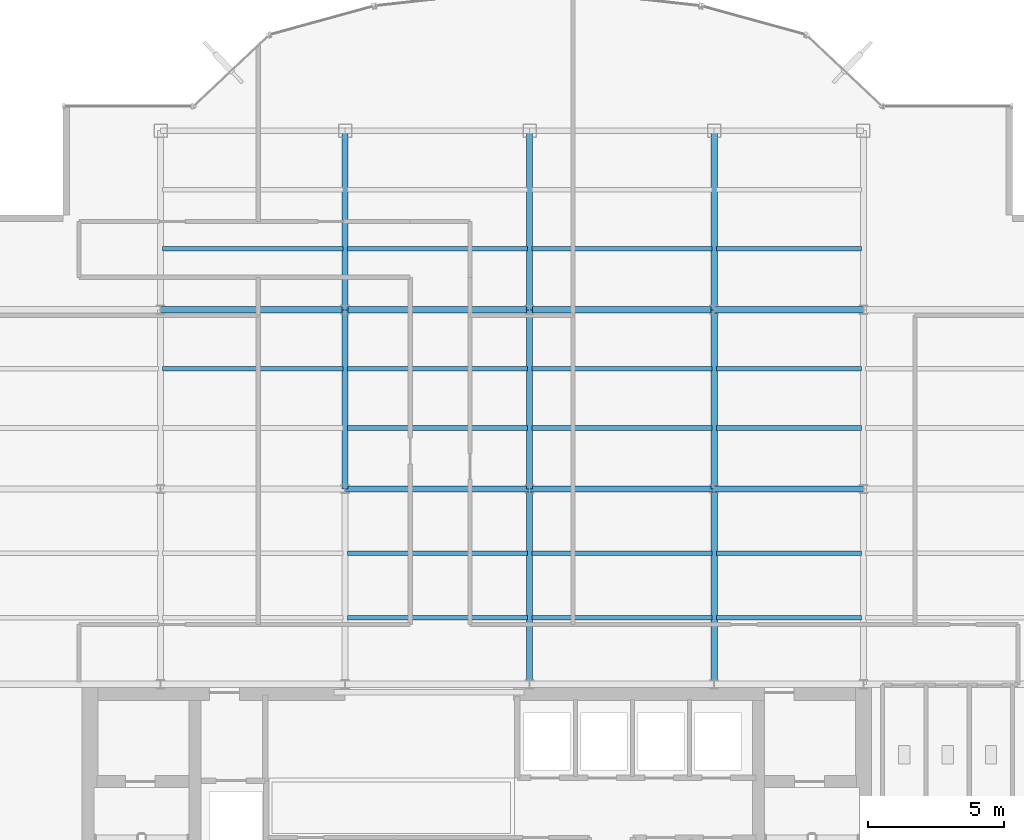
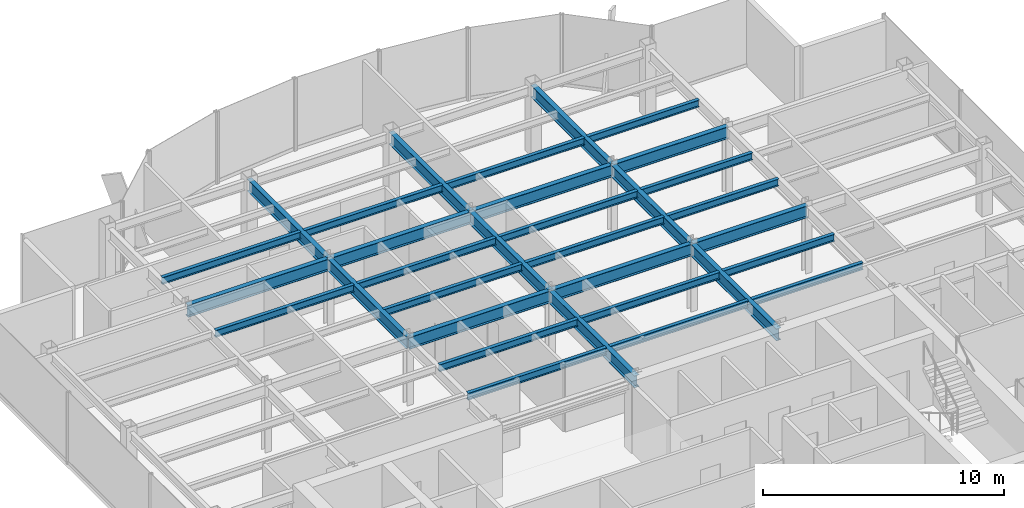
# One storey, part 8 of 22: 32 beams.
"""IFC4 building model written with IfcOpenShell, lengths in metres."""

from ifc_helpers import new_model, si_unit, derived_unit, direction, frame, origin, origin_2d, place, context, subcontext, project, spatial, i_section, extrude, source, transform, mapped, material, material_profile, profile_set, type_object, element, save


model = new_model("IFC4")

# Units and contexts
model_context = context("Model", 3, precision=1e-05, world=origin(), true_north=direction((0.0, 1.0)))
body_context = subcontext(model_context, "Body", "Model", "MODEL_VIEW")
ifc_project = project(units=[si_unit("LENGTHUNIT", "METRE"), si_unit("AREAUNIT", "SQUARE_METRE"), si_unit("VOLUMEUNIT", "CUBIC_METRE"), si_unit("PLANEANGLEUNIT", "RADIAN"), si_unit("MASSUNIT", "GRAM", prefix="KILO"), derived_unit("THERMALTRANSMITTANCEUNIT", [(si_unit("POWERUNIT", "WATT"), 1), (si_unit("LENGTHUNIT", "METRE"), -2), (si_unit("THERMODYNAMICTEMPERATUREUNIT", "KELVIN"), -1)])], contexts=[model_context])

# Site, building, storey
site_placement = place(None, origin())
site = spatial("IfcSite", under=ifc_project, at=site_placement, CompositionType="ELEMENT")
building_placement = place(site_placement, origin())
building = spatial("IfcBuilding", under=site, at=building_placement, Name="Skarnbrae Concourse Arena and Tower", CompositionType="ELEMENT")
storey_placement = place(building_placement, frame((0.0, 0.0, 214.14990234375)))
storey = spatial("IfcBuildingStorey", under=building, at=storey_placement, Name="L55", CompositionType="ELEMENT", Elevation=214.14990234375)

# Beams
ifc_material = material(Name="Steel CSA G40.21 350W", Category="steel")
ifc_material_profile_1 = material_profile(ifc_material, i_section(OverallWidth=0.22802734375, OverallDepth=0.60791015625, WebThickness=0.01123046875, FlangeThickness=0.017333984375, at=origin_2d()), Name="W610X113")
ifc_profile_set_1 = profile_set([ifc_material_profile_1], Name="Steel CSA G40.21 350W")
beam_type_1 = type_object("IfcBeamType", Name="BM-GIRD-W610X113", PredefinedType="BEAM", material=ifc_profile_set_1)
shared_shape_1 = source(origin(), body_context, "Body", "SweptSolid", [
    extrude(i_section(OverallWidth=0.22802734375, OverallDepth=0.60791015625, WebThickness=0.01123046875, FlangeThickness=0.017333984375, at=origin_2d()), origin(), (0.0, 0.0, 1.0), 6.60009765625),
])
for number, where, z_axis, x_axis, name in (
    (1, (14.39990234375, 21.199951171875, 3.09619140625), (0.0, 1.0, 0.0), (-1.0, 0.0, 0.0), "L55 Primary N-S girder X14.4-2"),
    (2, (21.199951171875, 21.199951171875, 3.09619140625), (0.0, 1.0, 0.0), (-1.0, 0.0, 0.0), "L55 Primary N-S girder X21.2-2"),
    (3, (28.0, 21.199951171875, 3.09619140625), (0.0, 1.0, 0.0), (-1.0, 0.0, 0.0), "L55 Primary N-S girder X28.0-2"),
):
    element("IfcBeam", number, at=place(storey_placement, frame(where, z_axis=z_axis, x_axis=x_axis)), inside=storey, type_object=beam_type_1, Name=name, PredefinedType="BEAM", context=body_context, shape_type="MappedRepresentation", body=[
        mapped(shared_shape_1, transform((0.0, 0.0, 0.0))),
    ])
shared_shape_2 = source(origin(), body_context, "Body", "SweptSolid", [
    extrude(i_section(OverallWidth=0.22802734375, OverallDepth=0.60791015625, WebThickness=0.01123046875, FlangeThickness=0.017333984375, at=origin_2d()), origin(), (0.0, 0.0, 1.0), 6.7998046875),
])
beam_placement = place(storey_placement, frame((7.60009765625, 27.800048828125, 3.09619140625), z_axis=(1.0, 0.0, 0.0), x_axis=(0.0, 1.0, 0.0)))
element("IfcBeam", 4, at=beam_placement, inside=storey, type_object=beam_type_1, Name="L55 Primary E-W girder Y27.8-2", PredefinedType="BEAM", context=body_context, shape_type="MappedRepresentation", body=[
    mapped(shared_shape_2, transform((0.0, 0.0, 0.0))),
])
shared_shape_3 = source(origin(), body_context, "Body", "SweptSolid", [
    extrude(i_section(OverallWidth=0.22802734375, OverallDepth=0.60791015625, WebThickness=0.01123046875, FlangeThickness=0.017333984375, at=origin_2d()), origin(), (0.0, 0.0, 1.0), 6.800048828125),
])
for number, where, z_axis, x_axis, name in (
    (5, (14.39990234375, 21.199951171875, 3.09619140625), (1.0, 0.0, 0.0), (0.0, 1.0, 0.0), "L55 Primary E-W girder Y21.2-3"),
    (6, (21.199951171875, 21.199951171875, 3.09619140625), (1.0, 0.0, 0.0), (0.0, 1.0, 0.0), "L55 Primary E-W girder Y21.2-4"),
    (7, (14.39990234375, 27.800048828125, 3.09619140625), (1.0, 0.0, 0.0), (0.0, 1.0, 0.0), "L55 Primary E-W girder Y27.8-3"),
    (8, (21.199951171875, 27.800048828125, 3.09619140625), (1.0, 0.0, 0.0), (0.0, 1.0, 0.0), "L55 Primary E-W girder Y27.8-4"),
):
    element("IfcBeam", number, at=place(storey_placement, frame(where, z_axis=z_axis, x_axis=x_axis)), inside=storey, type_object=beam_type_1, Name=name, PredefinedType="BEAM", context=body_context, shape_type="MappedRepresentation", body=[
        mapped(shared_shape_3, transform((0.0, 0.0, 0.0))),
    ])
shared_shape_4 = source(origin(), body_context, "Body", "SweptSolid", [
    extrude(i_section(OverallWidth=0.22802734375, OverallDepth=0.60791015625, WebThickness=0.01123046875, FlangeThickness=0.017333984375, at=origin_2d()), origin(), (0.0, 0.0, 1.0), 5.5),
])
for number, where, z_axis, x_axis, name in (
    (9, (28.0, 21.199951171875, 3.09619140625), (1.0, 0.0, 0.0), (0.0, 1.0, 0.0), "L55 Primary E-W girder Y21.2-5"),
    (10, (28.0, 27.800048828125, 3.09619140625), (1.0, 0.0, 0.0), (0.0, 1.0, 0.0), "L55 Primary E-W girder Y27.8-5"),
):
    element("IfcBeam", number, at=place(storey_placement, frame(where, z_axis=z_axis, x_axis=x_axis)), inside=storey, type_object=beam_type_1, Name=name, PredefinedType="BEAM", context=body_context, shape_type="MappedRepresentation", body=[
        mapped(shared_shape_4, transform((0.0, 0.0, 0.0))),
    ])
shared_shape_5 = source(origin(), body_context, "Body", "SweptSolid", [
    extrude(i_section(OverallWidth=0.22802734375, OverallDepth=0.60791015625, WebThickness=0.01123046875, FlangeThickness=0.017333984375, at=origin_2d()), origin(), (0.0, 0.0, 1.0), 7.199951171875),
])
for number, where, z_axis, x_axis, name in (
    (11, (21.199951171875, 14.0, 3.09619140625), (0.0, 1.0, 0.0), (-1.0, 0.0, 0.0), "L55 Primary N-S girder X21.2-1"),
    (12, (28.0, 14.0, 3.09619140625), (0.0, 1.0, 0.0), (-1.0, 0.0, 0.0), "L55 Primary N-S girder X28.0-1"),
):
    element("IfcBeam", number, at=place(storey_placement, frame(where, z_axis=z_axis, x_axis=x_axis)), inside=storey, type_object=beam_type_1, Name=name, PredefinedType="BEAM", context=body_context, shape_type="MappedRepresentation", body=[
        mapped(shared_shape_5, transform((0.0, 0.0, 0.0))),
    ])
shared_shape_6 = source(origin(), body_context, "Body", "SweptSolid", [
    extrude(i_section(OverallWidth=0.22802734375, OverallDepth=0.60791015625, WebThickness=0.01123046875, FlangeThickness=0.017333984375, at=origin_2d()), origin(), (0.0, 0.0, 1.0), 6.599853515625),
])
for number, where, z_axis, x_axis, name in (
    (13, (14.39990234375, 27.800048828125, 3.09619140625), (0.0, 1.0, 0.0), (-1.0, 0.0, 0.0), "L55 Primary N-S girder X14.4-3"),
    (14, (21.199951171875, 27.800048828125, 3.09619140625), (0.0, 1.0, 0.0), (-1.0, 0.0, 0.0), "L55 Primary N-S girder X21.2-3"),
    (15, (28.0, 27.800048828125, 3.09619140625), (0.0, 1.0, 0.0), (-1.0, 0.0, 0.0), "L55 Primary N-S girder X28.0-3"),
):
    element("IfcBeam", number, at=place(storey_placement, frame(where, z_axis=z_axis, x_axis=x_axis)), inside=storey, type_object=beam_type_1, Name=name, PredefinedType="BEAM", context=body_context, shape_type="MappedRepresentation", body=[
        mapped(shared_shape_6, transform((0.0, 0.0, 0.0))),
    ])
ifc_material_profile_2 = material_profile(ifc_material, i_section(OverallWidth=0.1708984375, OverallDepth=0.35498046875, WebThickness=0.007080078125, FlangeThickness=0.01171875, at=origin_2d()), Name="W360X51")
ifc_profile_set_2 = profile_set([ifc_material_profile_2], Name="Steel CSA G40.21 350W")
beam_type_2 = type_object("IfcBeamType", Name="BM-JOIST-W360X51", PredefinedType="JOIST", material=ifc_profile_set_2)
shared_shape_7 = source(origin(), body_context, "Body", "SweptSolid", [
    extrude(i_section(OverallWidth=0.1708984375, OverallDepth=0.35498046875, WebThickness=0.007080078125, FlangeThickness=0.01171875, at=origin_2d()), origin(), (0.0, 0.0, 1.0), 6.64013671875),
])
for number, where, z_axis, x_axis, name in (
    (16, (14.47998046875, 16.447998046875, 3.22265625), (1.0, 0.0, 0.0), (0.0, 1.0, 0.0), "L55 Secondary floor joist 1.1.3"),
    (17, (14.47998046875, 18.823974609375, 3.22265625), (1.0, 0.0, 0.0), (0.0, 1.0, 0.0), "L55 Secondary floor joist 1.2.3"),
    (18, (14.47998046875, 23.444091796875, 3.22265625), (1.0, 0.0, 0.0), (0.0, 1.0, 0.0), "L55 Secondary floor joist 2.1.3"),
    (19, (7.679931640625, 25.6220703125, 3.22265625), (1.0, 0.0, 0.0), (0.0, 1.0, 0.0), "L55 Secondary floor joist 2.2.2"),
    (20, (14.47998046875, 25.6220703125, 3.22265625), (1.0, 0.0, 0.0), (0.0, 1.0, 0.0), "L55 Secondary floor joist 2.2.3"),
    (21, (7.679931640625, 30.0439453125, 3.22265625), (1.0, 0.0, 0.0), (0.0, 1.0, 0.0), "L55 Secondary floor joist 3.1.1"),
    (22, (14.47998046875, 30.0439453125, 3.22265625), (1.0, 0.0, 0.0), (0.0, 1.0, 0.0), "L55 Secondary floor joist 3.1.2"),
):
    element("IfcBeam", number, at=place(storey_placement, frame(where, z_axis=z_axis, x_axis=x_axis)), inside=storey, type_object=beam_type_2, Name=name, PredefinedType="JOIST", context=body_context, shape_type="MappedRepresentation", body=[
        mapped(shared_shape_7, transform((0.0, 0.0, 0.0))),
    ])
shared_shape_8 = source(origin(), body_context, "Body", "SweptSolid", [
    extrude(i_section(OverallWidth=0.1708984375, OverallDepth=0.35498046875, WebThickness=0.007080078125, FlangeThickness=0.01171875, at=origin_2d()), origin(), (0.0, 0.0, 1.0), 6.639892578125),
])
for number, where, z_axis, x_axis, name in (
    (23, (21.280029296875, 16.447998046875, 3.22265625), (1.0, 0.0, 0.0), (0.0, 1.0, 0.0), "L55 Secondary floor joist 1.1.4"),
    (24, (21.280029296875, 18.823974609375, 3.22265625), (1.0, 0.0, 0.0), (0.0, 1.0, 0.0), "L55 Secondary floor joist 1.2.4"),
    (25, (21.280029296875, 23.444091796875, 3.22265625), (1.0, 0.0, 0.0), (0.0, 1.0, 0.0), "L55 Secondary floor joist 2.1.4"),
    (26, (21.280029296875, 25.6220703125, 3.22265625), (1.0, 0.0, 0.0), (0.0, 1.0, 0.0), "L55 Secondary floor joist 2.2.4"),
    (27, (21.280029296875, 30.0439453125, 3.22265625), (1.0, 0.0, 0.0), (0.0, 1.0, 0.0), "L55 Secondary floor joist 3.1.3"),
):
    element("IfcBeam", number, at=place(storey_placement, frame(where, z_axis=z_axis, x_axis=x_axis)), inside=storey, type_object=beam_type_2, Name=name, PredefinedType="JOIST", context=body_context, shape_type="MappedRepresentation", body=[
        mapped(shared_shape_8, transform((0.0, 0.0, 0.0))),
    ])
shared_shape_9 = source(origin(), body_context, "Body", "SweptSolid", [
    extrude(i_section(OverallWidth=0.1708984375, OverallDepth=0.35498046875, WebThickness=0.007080078125, FlangeThickness=0.01171875, at=origin_2d()), origin(), (0.0, 0.0, 1.0), 5.33984375),
])
for number, where, z_axis, x_axis, name in (
    (28, (28.080078125, 16.447998046875, 3.22265625), (1.0, 0.0, 0.0), (0.0, 1.0, 0.0), "L55 Secondary floor joist 1.1.5"),
    (29, (28.080078125, 18.823974609375, 3.22265625), (1.0, 0.0, 0.0), (0.0, 1.0, 0.0), "L55 Secondary floor joist 1.2.5"),
    (30, (28.080078125, 23.444091796875, 3.22265625), (1.0, 0.0, 0.0), (0.0, 1.0, 0.0), "L55 Secondary floor joist 2.1.5"),
    (31, (28.080078125, 25.6220703125, 3.22265625), (1.0, 0.0, 0.0), (0.0, 1.0, 0.0), "L55 Secondary floor joist 2.2.5"),
    (32, (28.080078125, 30.0439453125, 3.22265625), (1.0, 0.0, 0.0), (0.0, 1.0, 0.0), "L55 Secondary floor joist 3.1.4"),
):
    element("IfcBeam", number, at=place(storey_placement, frame(where, z_axis=z_axis, x_axis=x_axis)), inside=storey, type_object=beam_type_2, Name=name, PredefinedType="JOIST", context=body_context, shape_type="MappedRepresentation", body=[
        mapped(shared_shape_9, transform((0.0, 0.0, 0.0))),
    ])

save(model, "model.ifc")
